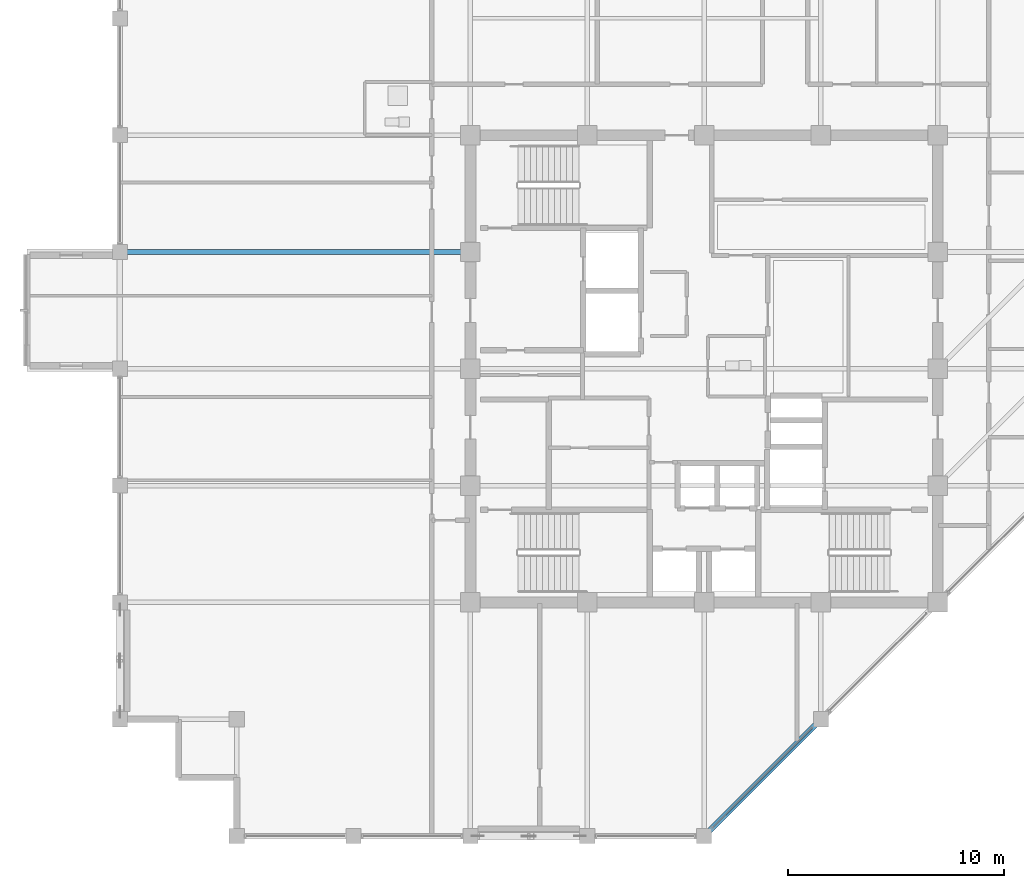
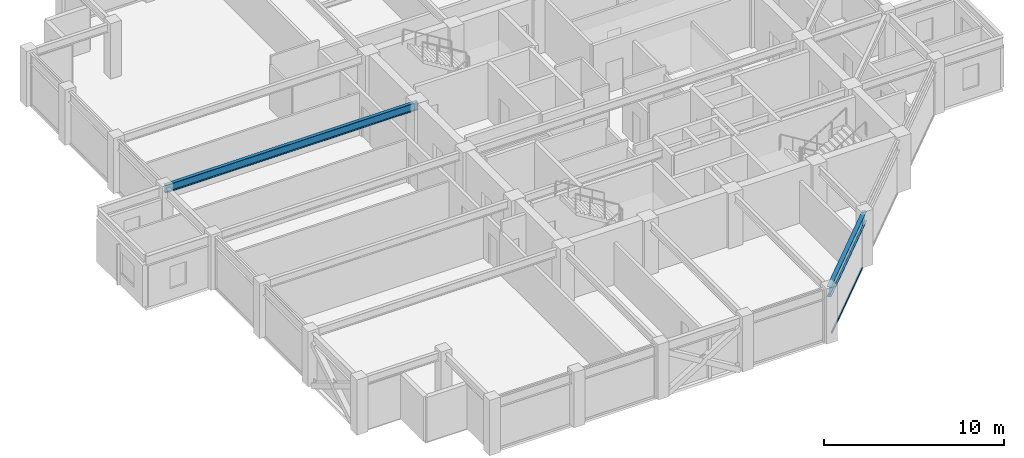
# One storey, part 8 of 31: 2 beams, 1 member, 1 element without a shape of its own.
"""IFC4 building model written with IfcOpenShell, lengths in metres."""

from ifc_helpers import new_model, si_unit, direction, frame, origin, origin_2d, place, context, subcontext, project, spatial, hollow_rectangle, i_section, extrude, material, layer, layer_set, material_profile, profile_set, type_object, element, aggregate, save


model = new_model("IFC4")

# Units and contexts
model_context = context("Model", 3, precision=1e-05, world=origin(), true_north=direction((0.0, 1.0)))
body_context = subcontext(model_context, "Body", "Model", "MODEL_VIEW")
ifc_project = project(units=[si_unit("LENGTHUNIT", "METRE"), si_unit("AREAUNIT", "SQUARE_METRE"), si_unit("VOLUMEUNIT", "CUBIC_METRE"), si_unit("PLANEANGLEUNIT", "RADIAN"), si_unit("MASSUNIT", "GRAM", prefix="KILO")], contexts=[model_context])

# Site, building, storey
site_placement = place(None, origin())
site = spatial("IfcSite", under=ifc_project, at=site_placement, CompositionType="ELEMENT")
building_placement = place(site_placement, origin())
building = spatial("IfcBuilding", under=site, at=building_placement, Name="Surkhivell Harbour Commons", CompositionType="ELEMENT")
storey_placement = place(building_placement, frame((0.0, 0.0, 322.5)))
storey = spatial("IfcBuildingStorey", under=building, at=storey_placement, Name="L84", CompositionType="ELEMENT", Elevation=322.5)

# Beams
ifc_material_1 = material(Name="Steel S355", Category="steel")
ifc_material_profile_1 = material_profile(ifc_material_1, i_section(OverallWidth=0.2099609375, OverallDepth=0.537109375, WebThickness=0.0107421875, FlangeThickness=0.017333984375, at=origin_2d()), Name="UB533x210x101")
ifc_profile_set_1 = profile_set([ifc_material_profile_1], Name="Steel S355")
beam_type_1 = type_object("IfcBeamType", Name="BM-GRD-533B", PredefinedType="BEAM", material=ifc_profile_set_1)
beam_1_placement = place(storey_placement, frame((-27.0, 5.39990234375, 3.301513671875), z_axis=(1.0, 0.0, 0.0), x_axis=(0.0, 1.0, 0.0)))
element("IfcBeam", 1, at=beam_1_placement, inside=storey, type_object=beam_type_1, Name="L84 Cantilever Back-Span Girder (-27.0,5.4)", PredefinedType="BEAM", context=body_context, shape_type="SweptSolid", body=[
    extrude(i_section(OverallWidth=0.2099609375, OverallDepth=0.537109375, WebThickness=0.0107421875, FlangeThickness=0.017333984375, at=origin_2d()), origin(), (0.0, 0.0, 1.0), 16.199951171875),
])
ifc_material_profile_2 = material_profile(ifc_material_1, i_section(OverallWidth=0.256103515625, OverallDepth=0.693115234375, WebThickness=0.014404296875, FlangeThickness=0.023681640625, at=origin_2d()), Name="UB686x254x170")
ifc_profile_set_2 = profile_set([ifc_material_profile_2], Name="Steel S355")
beam_type_2 = type_object("IfcBeamType", Name="BM-SPN-686", PredefinedType="SPANDREL", material=ifc_profile_set_2)
beam_2_placement = place(storey_placement, frame((0.0, -21.60009765625, 3.223388671875), z_axis=(0.707090796496, 0.707122765516, 0.0), x_axis=(-0.707122765516, 0.707090796496, 0.0)))
element("IfcBeam", 2, at=beam_2_placement, inside=storey, type_object=beam_type_2, Name="L84 Tube Spandrel (-0.0,-21.6)", PredefinedType="SPANDREL", context=body_context, shape_type="SweptSolid", body=[
    extrude(i_section(OverallWidth=0.256103515625, OverallDepth=0.693115234375, WebThickness=0.014404296875, FlangeThickness=0.023681640625, at=origin_2d()), origin(), (0.0, 0.0, 1.0), 7.63671875),
])

# Curtain wall, member
ifc_material_2 = material(Name="Anodised pale-metal aluminium and insulated glazing", Category="aluminium")
ifc_layer = layer(ifc_material_2, 0.175048828125)
ifc_layer_set = layer_set([ifc_layer], Name="Anodised pale-metal aluminium and insulated glazing")
curtain_wall_type = type_object("IfcCurtainWallType", Name="CW-SYS-Z4", PredefinedType="NOTDEFINED", material=ifc_layer_set)
curtain_wall_placement = place(storey_placement, origin())
curtain_wall = element("IfcCurtainWall", 3, at=curtain_wall_placement, inside=storey, type_object=curtain_wall_type, Name="L84 Curtain Wall CW-L84-E01", PredefinedType="NOTDEFINED")
ifc_material_3 = material(Name="Champagne anodised aluminium alloy 6063-T6", Category="aluminium")
ifc_material_profile_3 = material_profile(ifc_material_3, hollow_rectangle(XDim=0.070068359375, YDim=0.1298828125, WallThickness=0.00341796875, at=origin_2d()), Name="ALU-TRAN-70x130")
ifc_profile_set_3 = profile_set([ifc_material_profile_3], Name="Champagne anodised aluminium alloy 6063-T6")
member_type = type_object("IfcMemberType", Name="CWT-130", PredefinedType="USERDEFINED", material=ifc_profile_set_3)
member_placement = place(storey_placement, frame((0.404541015625, -21.1953125, 0.06494140625), z_axis=(0.707125583467, 0.707087978406, 0.0), x_axis=(-0.707087978406, 0.707125583467, 0.0)))
member = element("IfcMember", 4, at=member_placement, type_object=member_type, Name="CW-Z4 transom 1.1", ObjectType="TRANSOM", PredefinedType="USERDEFINED", context=body_context, shape_type="SweptSolid", body=[
    extrude(hollow_rectangle(XDim=0.070068359375, YDim=0.1298828125, WallThickness=0.00341796875, at=origin_2d()), origin(), (0.0, 0.0, 1.0), 6.4921875),
])
aggregate(curtain_wall, [member])

save(model, "model.ifc")
